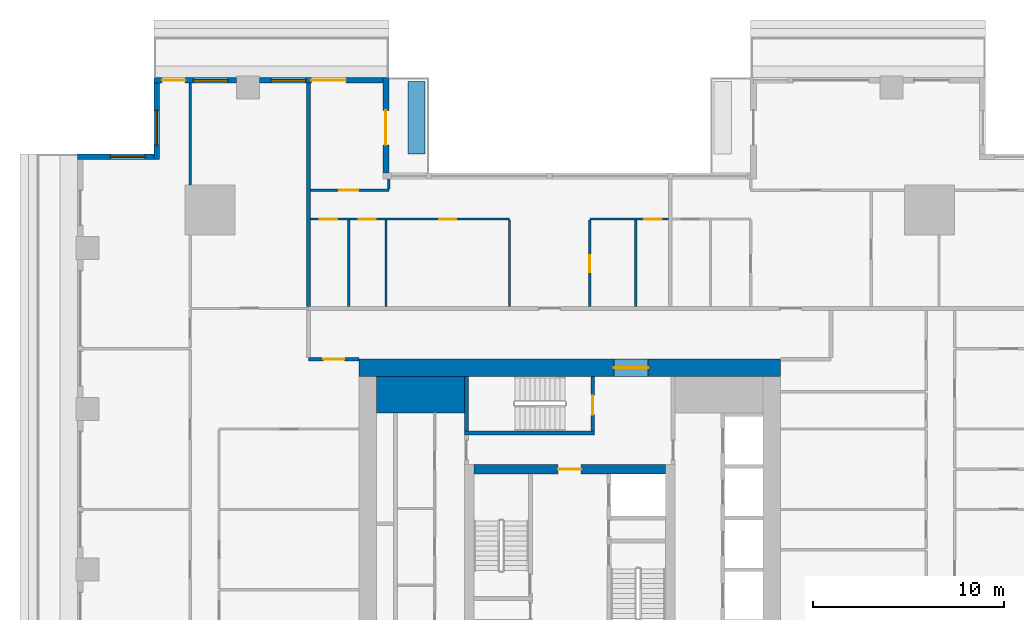
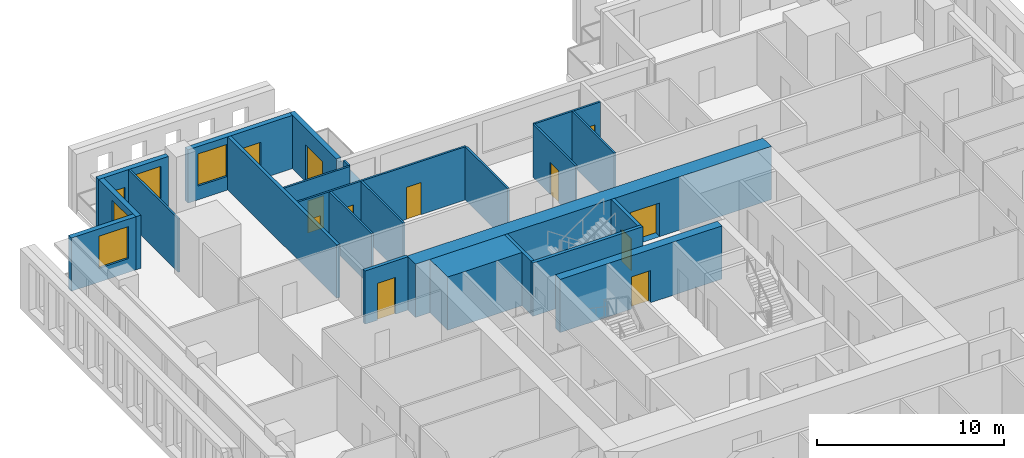
# One storey, part 7 of 16: 24 walls, 13 doors, 4 windows, 17 openings.
"""IFC4 building model written with IfcOpenShell, lengths in metres."""

from ifc_helpers import new_model, si_unit, direction, frame, frame_2d, origin, place, context, subcontext, project, spatial, rectangle, extrude, material, layer, layer_set, type_object, element, fill, save


model = new_model("IFC4")

# Units and contexts
model_context = context("Model", 3, precision=1e-05, world=origin(), true_north=direction((0.0, 1.0)))
body_context = subcontext(model_context, "Body", "Model", "MODEL_VIEW")
ifc_project = project(units=[si_unit("LENGTHUNIT", "METRE"), si_unit("AREAUNIT", "SQUARE_METRE"), si_unit("VOLUMEUNIT", "CUBIC_METRE"), si_unit("PLANEANGLEUNIT", "RADIAN"), si_unit("MASSUNIT", "GRAM", prefix="KILO")], contexts=[model_context])

# Site, building, storey
site_placement = place(None, origin())
site = spatial("IfcSite", under=ifc_project, at=site_placement, CompositionType="ELEMENT")
building_placement = place(site_placement, origin())
building = spatial("IfcBuilding", under=site, at=building_placement, Name="Khepri Terraces", CompositionType="ELEMENT")
storey_placement = place(building_placement, frame((0.0, 0.0, 157.199951171875)))
storey = spatial("IfcBuildingStorey", under=building, at=storey_placement, Name="L37", CompositionType="ELEMENT", Elevation=157.199951171875)

# Walls
ifc_material_1 = material(Name="Concrete C60/75", Category="concrete")
ifc_layer_1 = layer(ifc_material_1, 1.89990234375, Name="Concrete C60/75", Category="concrete")
ifc_layer_set_1 = layer_set([ifc_layer_1], Name="Concrete C60/75")
wall_type_1 = type_object("IfcWallType", Name="Core wall 1900 C60/75", PredefinedType="SHEAR", material=ifc_layer_set_1)
wall_1_placement = place(storey_placement, frame((-10.10009765625, 9.14990234375, 0.0), z_axis=(0.0, 0.0, 1.0), x_axis=(1.0, 0.0, 0.0)))
element("IfcWall", 1, at=wall_1_placement, inside=storey, type_object=wall_type_1, Name="Core wall PR03 L37", PredefinedType="SHEAR", context=body_context, shape_type="SweptSolid", body=[
    extrude(rectangle(XDim=4.60009765625, YDim=1.89990234375, at=frame_2d((2.300048828125, 0.0))), origin(), (0.0, 0.0, 1.0), 3.47998046875),
])
ifc_layer_2 = layer(ifc_material_1, 0.199951171875, Name="Concrete C60/75", Category="concrete")
ifc_layer_set_2 = layer_set([ifc_layer_2], Name="Concrete C60/75")
wall_type_2 = type_object("IfcWallType", Name="Core wall 200 C60/75", PredefinedType="SHEAR", material=ifc_layer_set_2)
wall_2_placement = place(storey_placement, frame((-5.5, 7.14990234375, 0.0), z_axis=(0.0, 0.0, 1.0), x_axis=(1.0, 0.0, 0.0)))
element("IfcWall", 2, at=wall_2_placement, inside=storey, type_object=wall_type_2, Name="Core wall ST05 L37", PredefinedType="SHEAR", context=body_context, shape_type="SweptSolid", body=[
    extrude(rectangle(XDim=6.800048828125, YDim=0.199951171875, at=frame_2d((3.39990234375, 0.0))), origin(), (0.0, 0.0, 1.0), 3.47998046875),
])
wall_3_placement = place(storey_placement, frame((-5.39990234375, 7.25, 0.0), z_axis=(0.0, 0.0, 1.0), x_axis=(0.0, 1.0, 0.0)))
element("IfcWall", 3, at=wall_3_placement, inside=storey, type_object=wall_type_2, Name="Core wall ST06 L37", PredefinedType="SHEAR", context=body_context, shape_type="SweptSolid", body=[
    extrude(rectangle(XDim=2.85009765625, YDim=0.199951171875, at=frame_2d((1.425048828125, 0.0))), origin(), (0.0, 0.0, 1.0), 3.47998046875),
])

# Wall, opening, door
wall_4_placement = place(storey_placement, frame((1.199951171875, 7.25, 0.0), z_axis=(0.0, 0.0, 1.0), x_axis=(0.0, 1.0, 0.0)))
wall_4 = element("IfcWall", 4, at=wall_4_placement, inside=storey, type_object=wall_type_2, Name="Core wall ST07 L37", PredefinedType="SHEAR", context=body_context, shape_type="SweptSolid", body=[
    extrude(rectangle(XDim=2.85009765625, YDim=0.199951171875, at=frame_2d((1.425048828125, 0.0))), origin(), (0.0, 0.0, 1.0), 3.47998046875),
])
opening_1_placement = place(wall_4_placement, frame((0.85009765625, 0.0, 0.0)))
opening_1 = element("IfcOpeningElement", 5, at=opening_1_placement, cuts=wall_4, Name="Opening L37-C15", PredefinedType="OPENING", context=body_context, shape_type="SweptSolid", body=[
    extrude(rectangle(XDim=1.0, YDim=2.10009765625, at=frame_2d((0.5, 1.050048828125))), frame((0.0, 0.10986328125, 0.0), z_axis=(0.0, -1.0, 0.0), x_axis=(1.0, 0.0, 0.0)), (0.0, 0.0, 1.0), 0.219970703125),
])
ifc_material_2 = material(Name="Painted steel", Category="steel")
door_type_1 = type_object("IfcDoorType", Name="DR-CORE-STAIR-1000", OperationType="NOTDEFINED", PredefinedType="DOOR", material=ifc_material_2)
door_1_placement = place(opening_1_placement, origin())
door_1 = element("IfcDoor", 6, at=door_1_placement, inside=storey, type_object=door_type_1, Name="Stair door L37-C15", OperationType="SINGLE_SWING_LEFT", OverallHeight=2.10009765625, OverallWidth=1.0, PredefinedType="DOOR", context=body_context, shape_type="SweptSolid", body=[
    extrude(rectangle(XDim=1.0, YDim=2.10009765625, at=frame_2d((0.5, 1.050048828125))), frame((0.0, 0.02490234375, 0.0), z_axis=(0.0, -1.0, 0.0), x_axis=(1.0, 0.0, 0.0)), (0.0, 0.0, 1.0), 0.050048828125),
])
fill(opening_1, door_1)

ifc_layer_3 = layer(ifc_material_1, 0.5, Name="Concrete C60/75", Category="concrete")
ifc_layer_set_3 = layer_set([ifc_layer_3], Name="Concrete C60/75")
wall_type_3 = type_object("IfcWallType", Name="Core wall 500 C60/75", PredefinedType="SHEAR", material=ifc_layer_set_3)
wall_5_placement = place(storey_placement, frame((-5.0, 5.25, 0.0), z_axis=(0.0, 0.0, 1.0), x_axis=(1.0, 0.0, 0.0)))
wall_5 = element("IfcWall", 7, at=wall_5_placement, inside=storey, type_object=wall_type_3, Name="Core wall BX04 L37", PredefinedType="SHEAR", context=body_context, shape_type="SweptSolid", body=[
    extrude(rectangle(XDim=10.0, YDim=0.5, at=frame_2d((5.0, 0.0))), origin(), (0.0, 0.0, 1.0), 3.47998046875),
])
opening_2_placement = place(wall_5_placement, frame((4.39990234375, 0.0, 0.0)))
opening_2 = element("IfcOpeningElement", 8, at=opening_2_placement, cuts=wall_5, Name="Opening L37-C13", PredefinedType="OPENING", context=body_context, shape_type="SweptSolid", body=[
    extrude(rectangle(XDim=1.199951171875, YDim=2.10009765625, at=frame_2d((0.60009765625, 1.050048828125))), frame((0.0, 0.260009765625, 0.0), z_axis=(0.0, -1.0, 0.0), x_axis=(1.0, 0.0, 0.0)), (0.0, 0.0, 1.0), 0.52001953125),
])
door_type_2 = type_object("IfcDoorType", Name="DR-CORE-FF-LOBBY-1200", OperationType="NOTDEFINED", PredefinedType="DOOR", material=ifc_material_2)
door_2_placement = place(opening_2_placement, frame((1.199951171875, 0.0, 0.0), z_axis=(0.0, 0.0, 1.0), x_axis=(-1.0, 0.0, 0.0)))
door_2 = element("IfcDoor", 9, at=door_2_placement, inside=storey, type_object=door_type_2, Name="Firefighting lobby door L37-C13", OperationType="SINGLE_SWING_LEFT", OverallHeight=2.10009765625, OverallWidth=1.199951171875, PredefinedType="DOOR", context=body_context, shape_type="SweptSolid", body=[
    extrude(rectangle(XDim=1.199951171875, YDim=2.10009765625, at=frame_2d((0.60009765625, 1.050048828125))), frame((0.0, 0.02490234375, 0.0), z_axis=(0.0, -1.0, 0.0), x_axis=(1.0, 0.0, 0.0)), (0.0, 0.0, 1.0), 0.050048828125),
])
fill(opening_2, door_2)

ifc_layer_4 = layer(ifc_material_1, 0.89990234375, Name="Concrete C60/75", Category="concrete")
ifc_layer_set_4 = layer_set([ifc_layer_4], Name="Concrete C60/75")
wall_type_4 = type_object("IfcWallType", Name="Core wall 900 C60/75", PredefinedType="SHEAR", material=ifc_layer_set_4)
wall_6_placement = place(storey_placement, frame((-11.0, 10.550048828125, 0.0), z_axis=(0.0, 0.0, 1.0), x_axis=(1.0, 0.0, 0.0)))
wall_6 = element("IfcWall", 10, at=wall_6_placement, inside=storey, type_object=wall_type_4, Name="Core wall OW-N L37", PredefinedType="SHEAR", context=body_context, shape_type="SweptSolid", body=[
    extrude(rectangle(XDim=22.0, YDim=0.89990234375, at=frame_2d((11.0, 0.0))), origin(), (0.0, 0.0, 1.0), 3.47998046875),
])
opening_3_placement = place(wall_6_placement, frame((13.300048828125, 0.0, 0.0)))
opening_3 = element("IfcOpeningElement", 11, at=opening_3_placement, cuts=wall_6, Name="Opening L37-C20", PredefinedType="OPENING", context=body_context, shape_type="SweptSolid", body=[
    extrude(rectangle(XDim=1.800048828125, YDim=2.199951171875, at=frame_2d((0.89990234375, 1.10009765625))), frame((0.0, 0.4599609375, 0.0), z_axis=(0.0, -1.0, 0.0), x_axis=(1.0, 0.0, 0.0)), (0.0, 0.0, 1.0), 0.919921875),
])
door_type_3 = type_object("IfcDoorType", Name="DR-CORE-ENTRANCE-1800", OperationType="NOTDEFINED", PredefinedType="DOOR", material=ifc_material_2)
door_3_placement = place(opening_3_placement, origin())
door_3 = element("IfcDoor", 12, at=door_3_placement, inside=storey, type_object=door_type_3, Name="Core entrance door pair L37-C20", OperationType="DOUBLE_DOOR_SINGLE_SWING", OverallHeight=2.199951171875, OverallWidth=1.800048828125, PredefinedType="DOOR", context=body_context, shape_type="SweptSolid", body=[
    extrude(rectangle(XDim=1.800048828125, YDim=2.199951171875, at=frame_2d((0.89990234375, 1.10009765625))), frame((0.0, 0.02490234375, 0.0), z_axis=(0.0, -1.0, 0.0), x_axis=(1.0, 0.0, 0.0)), (0.0, 0.0, 1.0), 0.050048828125),
])
fill(opening_3, door_3)

ifc_material_3 = material(Name="Fire-rated gypsum plasterboard partition, mineral wool")
ifc_layer_5 = layer(ifc_material_3, 0.199951171875, Name="Fire-rated gypsum plasterboard partition, mineral wool")
ifc_layer_set_5 = layer_set([ifc_layer_5], Name="Fire-rated gypsum plasterboard partition, mineral wool")
wall_type_5 = type_object("IfcWallType", Name="WL-CORR-200", PredefinedType="PARTITIONING", material=ifc_layer_set_5)
wall_7_placement = place(storey_placement, frame((-13.64990234375, 11.0, 0.0), z_axis=(0.0, 0.0, 1.0), x_axis=(1.0, 0.0, 0.0)))
wall_7 = element("IfcWall", 13, at=wall_7_placement, inside=storey, type_object=wall_type_5, Name="Partition P-075 L37", PredefinedType="PARTITIONING", context=body_context, shape_type="SweptSolid", body=[
    extrude(rectangle(XDim=2.64990234375, YDim=0.199951171875, at=frame_2d((1.324951171875, 0.0))), origin(), (0.0, 0.0, 1.0), 3.47998046875),
])
opening_4_placement = place(wall_7_placement, frame((0.77490234375, 0.0, 0.0)))
opening_4 = element("IfcOpeningElement", 14, at=opening_4_placement, cuts=wall_7, Name="Opening D1", PredefinedType="OPENING", context=body_context, shape_type="SweptSolid", body=[
    extrude(rectangle(XDim=1.10009765625, YDim=2.39990234375, at=frame_2d((0.550048828125, 1.199951171875))), frame((0.0, 0.10986328125, 0.0), z_axis=(0.0, -1.0, 0.0), x_axis=(1.0, 0.0, 0.0)), (0.0, 0.0, 1.0), 0.219970703125),
])
ifc_material_4 = material(Name="Solid-core timber door leaf, flat entrance door", Category="wood")
door_type_4 = type_object("IfcDoorType", Name="DR-ENT-1100", OperationType="NOTDEFINED", PredefinedType="DOOR", material=ifc_material_4)
door_4_placement = place(opening_4_placement, frame((1.10009765625, 0.0, 0.0), z_axis=(0.0, 0.0, 1.0), x_axis=(-1.0, 0.0, 0.0)))
door_4 = element("IfcDoor", 15, at=door_4_placement, inside=storey, type_object=door_type_4, Name="Flat D1 entrance door", OperationType="SINGLE_SWING_LEFT", OverallHeight=2.39990234375, OverallWidth=1.10009765625, PredefinedType="DOOR", context=body_context, shape_type="SweptSolid", body=[
    extrude(rectangle(XDim=1.10009765625, YDim=2.39990234375, at=frame_2d((0.550048828125, 1.199951171875))), frame((0.0, 0.02490234375, 0.0), z_axis=(0.0, -1.0, 0.0), x_axis=(1.0, 0.0, 0.0)), (0.0, 0.0, 1.0), 0.050048828125),
])
fill(opening_4, door_4)

# Wall
wall_8_placement = place(storey_placement, frame((-13.64990234375, 13.75, 0.0), z_axis=(0.0, 0.0, 1.0), x_axis=(0.0, 1.0, 0.0)))
element("IfcWall", 16, at=wall_8_placement, inside=storey, type_object=wall_type_5, Name="Partition P-086 L37", PredefinedType="PARTITIONING", context=body_context, shape_type="SweptSolid", body=[
    extrude(rectangle(XDim=11.669921875, YDim=0.199951171875, at=frame_2d((5.8349609375, 0.0))), origin(), (0.0, 0.0, 1.0), 3.47998046875),
])

# Wall, opening, door
ifc_material_5 = material(Name="Precast concrete C50/60 warm stone", Category="masonry")
ifc_layer_6 = layer(ifc_material_5, 0.300048828125, Name="Precast concrete C50/60 warm stone", Category="masonry")
ifc_layer_set_6 = layer_set([ifc_layer_6], Name="Precast concrete C50/60 warm stone")
wall_type_6 = type_object("IfcWallType", Name="WL-EXT-PRECAST-300", PredefinedType="STANDARD", material=ifc_layer_set_6)
wall_9_placement = place(storey_placement, frame((-9.60009765625, 20.719970703125, 0.0), z_axis=(0.0, 0.0, 1.0), x_axis=(0.0, 1.0, 0.0)))
wall_9 = element("IfcWall", 17, at=wall_9_placement, inside=storey, type_object=wall_type_6, Name="External wall L37 E", PredefinedType="STANDARD", context=body_context, shape_type="SweptSolid", body=[
    extrude(rectangle(XDim=5.0, YDim=0.300048828125, at=frame_2d((2.5, 0.0))), origin(), (0.0, 0.0, 1.0), 3.47998046875),
])
opening_5_placement = place(wall_9_placement, frame((1.47998046875, 0.0, 0.0)))
opening_5 = element("IfcOpeningElement", 18, at=opening_5_placement, cuts=wall_9, Name="Opening ED-L37-11", PredefinedType="OPENING", context=body_context, shape_type="SweptSolid", body=[
    extrude(rectangle(XDim=1.800048828125, YDim=2.39990234375, at=frame_2d((0.89990234375, 1.199951171875))), frame((0.0, 0.16015625, 0.0), z_axis=(0.0, -1.0, 0.0), x_axis=(1.0, 0.0, 0.0)), (0.0, 0.0, 1.0), 0.320068359375),
])
ifc_material_6 = material(Name="Anodised aluminium bronze glazed door", Category="aluminium")
door_type_5 = type_object("IfcDoorType", Name="DR-BAL-SLIDE-1800x2400", OperationType="NOTDEFINED", PredefinedType="DOOR", material=ifc_material_6)
door_5_placement = place(opening_5_placement, origin())
door_5 = element("IfcDoor", 19, at=door_5_placement, inside=storey, type_object=door_type_5, Name="Balcony door L37 E", OperationType="SLIDING_TO_RIGHT", OverallHeight=2.39990234375, OverallWidth=1.800048828125, PredefinedType="DOOR", context=body_context, shape_type="SweptSolid", body=[
    extrude(rectangle(XDim=1.800048828125, YDim=2.39990234375, at=frame_2d((0.89990234375, 1.199951171875))), frame((0.0, 0.02490234375, 0.0), z_axis=(0.0, -1.0, 0.0), x_axis=(1.0, 0.0, 0.0)), (0.0, 0.0, 1.0), 0.050048828125),
])
fill(opening_5, door_5)

# Wall, openings, door, window
wall_10_placement = place(storey_placement, frame((-9.75, 25.570068359375, 0.0), z_axis=(0.0, 0.0, 1.0), x_axis=(-1.0, 0.0, 0.0)))
wall_10 = element("IfcWall", 20, at=wall_10_placement, inside=storey, type_object=wall_type_6, Name="External wall L37 N", PredefinedType="STANDARD", context=body_context, shape_type="SweptSolid", body=[
    extrude(rectangle(XDim=6.449951171875, YDim=0.300048828125, at=frame_2d((3.22509765625, 0.0))), origin(), (0.0, 0.0, 1.0), 3.47998046875),
])
opening_6_placement = place(wall_10_placement, frame((1.949951171875, 0.0, 0.0)))
opening_6 = element("IfcOpeningElement", 21, at=opening_6_placement, cuts=wall_10, Name="Opening ED-L37-12", PredefinedType="OPENING", context=body_context, shape_type="SweptSolid", body=[
    extrude(rectangle(XDim=1.800048828125, YDim=2.39990234375, at=frame_2d((0.89990234375, 1.199951171875))), frame((0.0, 0.16015625, 0.0), z_axis=(0.0, -1.0, 0.0), x_axis=(1.0, 0.0, 0.0)), (0.0, 0.0, 1.0), 0.320068359375),
])
opening_7_placement = place(wall_10_placement, frame((4.050048828125, 0.0, 0.89990234375)))
opening_7 = element("IfcOpeningElement", 22, at=opening_7_placement, cuts=wall_10, Name="Opening W1", PredefinedType="OPENING", context=body_context, shape_type="SweptSolid", body=[
    extrude(rectangle(XDim=1.800048828125, YDim=2.10009765625, at=frame_2d((0.89990234375, 1.050048828125))), frame((0.0, 0.16015625, 0.0), z_axis=(0.0, -1.0, 0.0), x_axis=(1.0, 0.0, 0.0)), (0.0, 0.0, 1.0), 0.320068359375),
])
door_6_placement = place(opening_6_placement, origin())
door_6 = element("IfcDoor", 23, at=door_6_placement, inside=storey, type_object=door_type_5, Name="Balcony door L37 N", OperationType="SLIDING_TO_RIGHT", OverallHeight=2.39990234375, OverallWidth=1.800048828125, PredefinedType="DOOR", context=body_context, shape_type="SweptSolid", body=[
    extrude(rectangle(XDim=1.800048828125, YDim=2.39990234375, at=frame_2d((0.89990234375, 1.199951171875))), frame((0.0, 0.02490234375, 0.0), z_axis=(0.0, -1.0, 0.0), x_axis=(1.0, 0.0, 0.0)), (0.0, 0.0, 1.0), 0.050048828125),
])
fill(opening_6, door_6)
ifc_material_7 = material(Name="Clear glass", Category="glass")
window_type = type_object("IfcWindowType", Name="WIN-RES-1800x2100", PartitioningType="SINGLE_PANEL", PredefinedType="WINDOW", material=ifc_material_7)
window_1_placement = place(opening_7_placement, origin())
window_1 = element("IfcWindow", 24, at=window_1_placement, inside=storey, type_object=window_type, Name="Window L37 N", OverallHeight=2.10009765625, OverallWidth=1.800048828125, PartitioningType="SINGLE_PANEL", PredefinedType="WINDOW", context=body_context, shape_type="SweptSolid", body=[
    extrude(rectangle(XDim=1.800048828125, YDim=2.10009765625, at=frame_2d((0.89990234375, 1.050048828125))), frame((0.0, 0.030029296875, 0.0), z_axis=(0.0, -1.0, 0.0), x_axis=(1.0, 0.0, 0.0)), (0.0, 0.0, 1.0), 0.06005859375),
])
fill(opening_7, window_1)

wall_11_placement = place(storey_placement, frame((-17.39990234375, 25.570068359375, 0.0), z_axis=(0.0, 0.0, 1.0), x_axis=(-1.0, 0.0, 0.0)))
wall_11 = element("IfcWall", 25, at=wall_11_placement, inside=storey, type_object=wall_type_6, Name="External wall L37 N", PredefinedType="STANDARD", context=body_context, shape_type="SweptSolid", body=[
    extrude(rectangle(XDim=4.320068359375, YDim=0.300048828125, at=frame_2d((2.16015625, 0.0))), origin(), (0.0, 0.0, 1.0), 3.47998046875),
])
opening_8_placement = place(wall_11_placement, frame((2.695068359375, 0.0, 0.0)))
opening_8 = element("IfcOpeningElement", 26, at=opening_8_placement, cuts=wall_11, Name="Opening ED-L37-13", PredefinedType="OPENING", context=body_context, shape_type="SweptSolid", body=[
    extrude(rectangle(XDim=1.199951171875, YDim=2.39990234375, at=frame_2d((0.60009765625, 1.199951171875))), frame((0.0, 0.16015625, 0.0), z_axis=(0.0, -1.0, 0.0), x_axis=(1.0, 0.0, 0.0)), (0.0, 0.0, 1.0), 0.320068359375),
])
opening_9_placement = place(wall_11_placement, frame((0.4599609375, 0.0, 0.89990234375)))
opening_9 = element("IfcOpeningElement", 27, at=opening_9_placement, cuts=wall_11, Name="Opening W1", PredefinedType="OPENING", context=body_context, shape_type="SweptSolid", body=[
    extrude(rectangle(XDim=1.800048828125, YDim=2.10009765625, at=frame_2d((0.89990234375, 1.050048828125))), frame((0.0, 0.16015625, 0.0), z_axis=(0.0, -1.0, 0.0), x_axis=(1.0, 0.0, 0.0)), (0.0, 0.0, 1.0), 0.320068359375),
])
door_type_6 = type_object("IfcDoorType", Name="DR-BAL-SLIDE-1200x2400", OperationType="NOTDEFINED", PredefinedType="DOOR", material=ifc_material_6)
door_7_placement = place(opening_8_placement, origin())
door_7 = element("IfcDoor", 28, at=door_7_placement, inside=storey, type_object=door_type_6, Name="Balcony door L37 N", OperationType="SLIDING_TO_LEFT", OverallHeight=2.39990234375, OverallWidth=1.199951171875, PredefinedType="DOOR", context=body_context, shape_type="SweptSolid", body=[
    extrude(rectangle(XDim=1.199951171875, YDim=2.39990234375, at=frame_2d((0.60009765625, 1.199951171875))), frame((0.0, 0.02490234375, 0.0), z_axis=(0.0, -1.0, 0.0), x_axis=(1.0, 0.0, 0.0)), (0.0, 0.0, 1.0), 0.050048828125),
])
fill(opening_8, door_7)
window_2_placement = place(opening_9_placement, origin())
window_2 = element("IfcWindow", 29, at=window_2_placement, inside=storey, type_object=window_type, Name="Window L37 N", OverallHeight=2.10009765625, OverallWidth=1.800048828125, PartitioningType="SINGLE_PANEL", PredefinedType="WINDOW", context=body_context, shape_type="SweptSolid", body=[
    extrude(rectangle(XDim=1.800048828125, YDim=2.10009765625, at=frame_2d((0.89990234375, 1.050048828125))), frame((0.0, 0.030029296875, 0.0), z_axis=(0.0, -1.0, 0.0), x_axis=(1.0, 0.0, 0.0)), (0.0, 0.0, 1.0), 0.06005859375),
])
fill(opening_9, window_2)

# Wall, opening, window
wall_12_placement = place(storey_placement, frame((-21.570068359375, 25.419921875, 0.0), z_axis=(0.0, 0.0, 1.0), x_axis=(0.0, -1.0, 0.0)))
wall_12 = element("IfcWall", 30, at=wall_12_placement, inside=storey, type_object=wall_type_6, Name="External wall L37 W", PredefinedType="STANDARD", context=body_context, shape_type="SweptSolid", body=[
    extrude(rectangle(XDim=4.0, YDim=0.300048828125, at=frame_2d((2.0, 0.0))), origin(), (0.0, 0.0, 1.0), 3.47998046875),
])
opening_10_placement = place(wall_12_placement, frame((1.419921875, 0.0, 0.89990234375)))
opening_10 = element("IfcOpeningElement", 31, at=opening_10_placement, cuts=wall_12, Name="Opening W1", PredefinedType="OPENING", context=body_context, shape_type="SweptSolid", body=[
    extrude(rectangle(XDim=1.800048828125, YDim=2.10009765625, at=frame_2d((0.89990234375, 1.050048828125))), frame((0.0, 0.16015625, 0.0), z_axis=(0.0, -1.0, 0.0), x_axis=(1.0, 0.0, 0.0)), (0.0, 0.0, 1.0), 0.320068359375),
])
window_3_placement = place(opening_10_placement, origin())
window_3 = element("IfcWindow", 32, at=window_3_placement, inside=storey, type_object=window_type, Name="Window L37 W", OverallHeight=2.10009765625, OverallWidth=1.800048828125, PartitioningType="SINGLE_PANEL", PredefinedType="WINDOW", context=body_context, shape_type="SweptSolid", body=[
    extrude(rectangle(XDim=1.800048828125, YDim=2.10009765625, at=frame_2d((0.89990234375, 1.050048828125))), frame((0.0, 0.030029296875, 0.0), z_axis=(0.0, -1.0, 0.0), x_axis=(1.0, 0.0, 0.0)), (0.0, 0.0, 1.0), 0.06005859375),
])
fill(opening_10, window_3)

wall_13_placement = place(storey_placement, frame((-21.719970703125, 21.570068359375, 0.0), z_axis=(0.0, 0.0, 1.0), x_axis=(-1.0, 0.0, 0.0)))
wall_13 = element("IfcWall", 33, at=wall_13_placement, inside=storey, type_object=wall_type_6, Name="External wall L37 N", PredefinedType="STANDARD", context=body_context, shape_type="SweptSolid", body=[
    extrude(rectangle(XDim=4.0, YDim=0.300048828125, at=frame_2d((2.0, 0.0))), origin(), (0.0, 0.0, 1.0), 3.47998046875),
])
opening_11_placement = place(wall_13_placement, frame((0.47998046875, 0.0, 0.89990234375)))
opening_11 = element("IfcOpeningElement", 34, at=opening_11_placement, cuts=wall_13, Name="Opening W1", PredefinedType="OPENING", context=body_context, shape_type="SweptSolid", body=[
    extrude(rectangle(XDim=1.800048828125, YDim=2.10009765625, at=frame_2d((0.89990234375, 1.050048828125))), frame((0.0, 0.16015625, 0.0), z_axis=(0.0, -1.0, 0.0), x_axis=(1.0, 0.0, 0.0)), (0.0, 0.0, 1.0), 0.320068359375),
])
window_4_placement = place(opening_11_placement, origin())
window_4 = element("IfcWindow", 35, at=window_4_placement, inside=storey, type_object=window_type, Name="Window L37 N", OverallHeight=2.10009765625, OverallWidth=1.800048828125, PartitioningType="SINGLE_PANEL", PredefinedType="WINDOW", context=body_context, shape_type="SweptSolid", body=[
    extrude(rectangle(XDim=1.800048828125, YDim=2.10009765625, at=frame_2d((0.89990234375, 1.050048828125))), frame((0.0, 0.030029296875, 0.0), z_axis=(0.0, -1.0, 0.0), x_axis=(1.0, 0.0, 0.0)), (0.0, 0.0, 1.0), 0.06005859375),
])
fill(opening_11, window_4)

# Walls
ifc_material_8 = material(Name="Gypsum plasterboard partition")
ifc_layer_7 = layer(ifc_material_8, 0.1201171875, Name="Gypsum plasterboard partition")
ifc_layer_set_7 = layer_set([ifc_layer_7], Name="Gypsum plasterboard partition")
wall_type_7 = type_object("IfcWallType", Name="WL-PART-120", PredefinedType="PARTITIONING", material=ifc_layer_set_7)
for number, where, z_axis, x_axis, name in (
    (36, (-11.550048828125, 13.75, 0.0), (0.0, 0.0, 1.0), (0.0, 1.0, 0.0), "Partition P-087 L37"),
    (37, (-9.60009765625, 13.75, 0.0), (0.0, 0.0, 1.0), (0.0, 1.0, 0.0), "Partition P-088 L37"),
    (38, (-3.14990234375, 13.75, 0.0), (0.0, 0.0, 1.0), (0.0, 1.0, 0.0), "Partition P-089 L37"),
):
    element("IfcWall", number, at=place(storey_placement, frame(where, z_axis=z_axis, x_axis=x_axis)), inside=storey, type_object=wall_type_7, Name=name, PredefinedType="PARTITIONING", context=body_context, shape_type="SweptSolid", body=[
        extrude(rectangle(XDim=4.510009765625, YDim=0.1201171875, at=frame_2d((2.2548828125, 0.0))), origin(), (0.0, 0.0, 1.0), 3.47998046875),
    ])

# Wall, opening, door
wall_14_placement = place(storey_placement, frame((1.050048828125, 13.75, 0.0), z_axis=(0.0, 0.0, 1.0), x_axis=(0.0, 1.0, 0.0)))
wall_14 = element("IfcWall", 39, at=wall_14_placement, inside=storey, type_object=wall_type_7, Name="Partition P-090 L37", PredefinedType="PARTITIONING", context=body_context, shape_type="SweptSolid", body=[
    extrude(rectangle(XDim=4.510009765625, YDim=0.1201171875, at=frame_2d((2.2548828125, 0.0))), origin(), (0.0, 0.0, 1.0), 3.47998046875),
])
opening_12_placement = place(wall_14_placement, frame((1.784912109375, 0.0, 0.0)))
opening_12 = element("IfcOpeningElement", 40, at=opening_12_placement, cuts=wall_14, Name="Opening D3", PredefinedType="OPENING", context=body_context, shape_type="SweptSolid", body=[
    extrude(rectangle(XDim=0.89990234375, YDim=2.10009765625, at=frame_2d((0.449951171875, 1.050048828125))), frame((0.0, 0.070068359375, 0.0), z_axis=(0.0, -1.0, 0.0), x_axis=(1.0, 0.0, 0.0)), (0.0, 0.0, 1.0), 0.14013671875),
])
ifc_material_9 = material(Name="Timber door leaf", Category="wood")
door_type_7 = type_object("IfcDoorType", Name="DR-INT-900", OperationType="NOTDEFINED", PredefinedType="DOOR", material=ifc_material_9)
door_8_placement = place(opening_12_placement, frame((0.89990234375, 0.0, 0.0), z_axis=(0.0, 0.0, 1.0), x_axis=(-1.0, 0.0, 0.0)))
door_8 = element("IfcDoor", 41, at=door_8_placement, inside=storey, type_object=door_type_7, Name="Door Staff Bedroom", OperationType="SINGLE_SWING_RIGHT", OverallHeight=2.10009765625, OverallWidth=0.89990234375, PredefinedType="DOOR", context=body_context, shape_type="SweptSolid", body=[
    extrude(rectangle(XDim=0.89990234375, YDim=2.10009765625, at=frame_2d((0.449951171875, 1.050048828125))), frame((0.0, 0.02490234375, 0.0), z_axis=(0.0, -1.0, 0.0), x_axis=(1.0, 0.0, 0.0)), (0.0, 0.0, 1.0), 0.050048828125),
])
fill(opening_12, door_8)

# Wall
wall_15_placement = place(storey_placement, frame((3.449951171875, 13.75, 0.0), z_axis=(0.0, 0.0, 1.0), x_axis=(0.0, 1.0, 0.0)))
element("IfcWall", 42, at=wall_15_placement, inside=storey, type_object=wall_type_7, Name="Partition P-091 L37", PredefinedType="PARTITIONING", context=body_context, shape_type="SweptSolid", body=[
    extrude(rectangle(XDim=4.510009765625, YDim=0.1201171875, at=frame_2d((2.2548828125, 0.0))), origin(), (0.0, 0.0, 1.0), 3.47998046875),
])

# Wall, openings, doors
wall_16_placement = place(storey_placement, frame((-13.550048828125, 18.320068359375, 0.0), z_axis=(0.0, 0.0, 1.0), x_axis=(1.0, 0.0, 0.0)))
wall_16 = element("IfcWall", 43, at=wall_16_placement, inside=storey, type_object=wall_type_7, Name="Partition P-097 L37", PredefinedType="PARTITIONING", context=body_context, shape_type="SweptSolid", body=[
    extrude(rectangle(XDim=10.400146484375, YDim=0.1201171875, at=frame_2d((5.2001953125, 0.0))), origin(), (0.0, 0.0, 1.0), 3.47998046875),
])
opening_13_placement = place(wall_16_placement, frame((6.72509765625, 0.0, 0.0)))
opening_13 = element("IfcOpeningElement", 44, at=opening_13_placement, cuts=wall_16, Name="Opening D3", PredefinedType="OPENING", context=body_context, shape_type="SweptSolid", body=[
    extrude(rectangle(XDim=0.89990234375, YDim=2.10009765625, at=frame_2d((0.449951171875, 1.050048828125))), frame((0.0, 0.070068359375, 0.0), z_axis=(0.0, -1.0, 0.0), x_axis=(1.0, 0.0, 0.0)), (0.0, 0.0, 1.0), 0.14013671875),
])
opening_14_placement = place(wall_16_placement, frame((2.52490234375, 0.0, 0.0)))
opening_14 = element("IfcOpeningElement", 45, at=opening_14_placement, cuts=wall_16, Name="Opening D3", PredefinedType="OPENING", context=body_context, shape_type="SweptSolid", body=[
    extrude(rectangle(XDim=0.89990234375, YDim=2.10009765625, at=frame_2d((0.449951171875, 1.050048828125))), frame((0.0, 0.070068359375, 0.0), z_axis=(0.0, -1.0, 0.0), x_axis=(1.0, 0.0, 0.0)), (0.0, 0.0, 1.0), 0.14013671875),
])
opening_15_placement = place(wall_16_placement, frame((0.5, 0.0, 0.0)))
opening_15 = element("IfcOpeningElement", 46, at=opening_15_placement, cuts=wall_16, Name="Opening D4", PredefinedType="OPENING", context=body_context, shape_type="SweptSolid", body=[
    extrude(rectangle(XDim=0.89990234375, YDim=2.10009765625, at=frame_2d((0.449951171875, 1.050048828125))), frame((0.0, 0.070068359375, 0.0), z_axis=(0.0, -1.0, 0.0), x_axis=(1.0, 0.0, 0.0)), (0.0, 0.0, 1.0), 0.14013671875),
])
door_9_placement = place(opening_13_placement, frame((0.89990234375, 0.0, 0.0), z_axis=(0.0, 0.0, 1.0), x_axis=(-1.0, 0.0, 0.0)))
door_9 = element("IfcDoor", 47, at=door_9_placement, inside=storey, type_object=door_type_7, Name="Door Kitchen", OperationType="SINGLE_SWING_LEFT", OverallHeight=2.10009765625, OverallWidth=0.89990234375, PredefinedType="DOOR", context=body_context, shape_type="SweptSolid", body=[
    extrude(rectangle(XDim=0.89990234375, YDim=2.10009765625, at=frame_2d((0.449951171875, 1.050048828125))), frame((0.0, 0.02490234375, 0.0), z_axis=(0.0, -1.0, 0.0), x_axis=(1.0, 0.0, 0.0)), (0.0, 0.0, 1.0), 0.050048828125),
])
fill(opening_13, door_9)
door_10_placement = place(opening_14_placement, frame((0.89990234375, 0.0, 0.0), z_axis=(0.0, 0.0, 1.0), x_axis=(-1.0, 0.0, 0.0)))
door_10 = element("IfcDoor", 48, at=door_10_placement, inside=storey, type_object=door_type_7, Name="Door Service Store", OperationType="SINGLE_SWING_RIGHT", OverallHeight=2.10009765625, OverallWidth=0.89990234375, PredefinedType="DOOR", context=body_context, shape_type="SweptSolid", body=[
    extrude(rectangle(XDim=0.89990234375, YDim=2.10009765625, at=frame_2d((0.449951171875, 1.050048828125))), frame((0.0, 0.02490234375, 0.0), z_axis=(0.0, -1.0, 0.0), x_axis=(1.0, 0.0, 0.0)), (0.0, 0.0, 1.0), 0.050048828125),
])
fill(opening_14, door_10)
ifc_material_10 = material(Name="Timber door leaf, moisture resistant", Category="wood")
door_type_8 = type_object("IfcDoorType", Name="DR-WET-900", OperationType="NOTDEFINED", PredefinedType="DOOR", material=ifc_material_10)
door_11_placement = place(opening_15_placement, frame((0.89990234375, 0.0, 0.0), z_axis=(0.0, 0.0, 1.0), x_axis=(-1.0, 0.0, 0.0)))
door_11 = element("IfcDoor", 49, at=door_11_placement, inside=storey, type_object=door_type_8, Name="Door Guest Bathroom", OperationType="SINGLE_SWING_RIGHT", OverallHeight=2.10009765625, OverallWidth=0.89990234375, PredefinedType="DOOR", context=body_context, shape_type="SweptSolid", body=[
    extrude(rectangle(XDim=0.89990234375, YDim=2.10009765625, at=frame_2d((0.449951171875, 1.050048828125))), frame((0.0, 0.02490234375, 0.0), z_axis=(0.0, -1.0, 0.0), x_axis=(1.0, 0.0, 0.0)), (0.0, 0.0, 1.0), 0.050048828125),
])
fill(opening_15, door_11)

# Wall, opening, door
wall_17_placement = place(storey_placement, frame((1.050048828125, 18.320068359375, 0.0), z_axis=(0.0, 0.0, 1.0), x_axis=(1.0, 0.0, 0.0)))
wall_17 = element("IfcWall", 50, at=wall_17_placement, inside=storey, type_object=wall_type_7, Name="Partition P-098 L37", PredefinedType="PARTITIONING", context=body_context, shape_type="SweptSolid", body=[
    extrude(rectangle(XDim=4.099853515625, YDim=0.1201171875, at=frame_2d((2.0498046875, 0.0))), origin(), (0.0, 0.0, 1.0), 3.47998046875),
])
opening_16_placement = place(wall_17_placement, frame((2.85009765625, 0.0, 0.0)))
opening_16 = element("IfcOpeningElement", 51, at=opening_16_placement, cuts=wall_17, Name="Opening D4", PredefinedType="OPENING", context=body_context, shape_type="SweptSolid", body=[
    extrude(rectangle(XDim=0.89990234375, YDim=2.10009765625, at=frame_2d((0.449951171875, 1.050048828125))), frame((0.0, 0.070068359375, 0.0), z_axis=(0.0, -1.0, 0.0), x_axis=(1.0, 0.0, 0.0)), (0.0, 0.0, 1.0), 0.14013671875),
])
door_12_placement = place(opening_16_placement, frame((0.89990234375, 0.0, 0.0), z_axis=(0.0, 0.0, 1.0), x_axis=(-1.0, 0.0, 0.0)))
door_12 = element("IfcDoor", 52, at=door_12_placement, inside=storey, type_object=door_type_8, Name="Door Powder Room", OperationType="SINGLE_SWING_LEFT", OverallHeight=2.10009765625, OverallWidth=0.89990234375, PredefinedType="DOOR", context=body_context, shape_type="SweptSolid", body=[
    extrude(rectangle(XDim=0.89990234375, YDim=2.10009765625, at=frame_2d((0.449951171875, 1.050048828125))), frame((0.0, 0.02490234375, 0.0), z_axis=(0.0, -1.0, 0.0), x_axis=(1.0, 0.0, 0.0)), (0.0, 0.0, 1.0), 0.050048828125),
])
fill(opening_16, door_12)

wall_18_placement = place(storey_placement, frame((-13.550048828125, 19.820068359375, 0.0), z_axis=(0.0, 0.0, 1.0), x_axis=(1.0, 0.0, 0.0)))
wall_18 = element("IfcWall", 53, at=wall_18_placement, inside=storey, type_object=wall_type_7, Name="Partition P-100 L37", PredefinedType="PARTITIONING", context=body_context, shape_type="SweptSolid", body=[
    extrude(rectangle(XDim=4.10009765625, YDim=0.1201171875, at=frame_2d((2.050048828125, 0.0))), origin(), (0.0, 0.0, 1.0), 3.47998046875),
])
opening_17_placement = place(wall_18_placement, frame((1.5, 0.0, 0.0)))
opening_17 = element("IfcOpeningElement", 54, at=opening_17_placement, cuts=wall_18, Name="Opening D2", PredefinedType="OPENING", context=body_context, shape_type="SweptSolid", body=[
    extrude(rectangle(XDim=1.0, YDim=2.10009765625, at=frame_2d((0.5, 1.050048828125))), frame((0.0, 0.070068359375, 0.0), z_axis=(0.0, -1.0, 0.0), x_axis=(1.0, 0.0, 0.0)), (0.0, 0.0, 1.0), 0.14013671875),
])
ifc_material_11 = material(Name="Timber door leaf, living room door", Category="wood")
door_type_9 = type_object("IfcDoorType", Name="DR-INT-1000", OperationType="NOTDEFINED", PredefinedType="DOOR", material=ifc_material_11)
door_13_placement = place(opening_17_placement, origin())
door_13 = element("IfcDoor", 55, at=door_13_placement, inside=storey, type_object=door_type_9, Name="Door Living Room", OperationType="SINGLE_SWING_LEFT", OverallHeight=2.10009765625, OverallWidth=1.0, PredefinedType="DOOR", context=body_context, shape_type="SweptSolid", body=[
    extrude(rectangle(XDim=1.0, YDim=2.10009765625, at=frame_2d((0.5, 1.050048828125))), frame((0.0, 0.02490234375, 0.0), z_axis=(0.0, -1.0, 0.0), x_axis=(1.0, 0.0, 0.0)), (0.0, 0.0, 1.0), 0.050048828125),
])
fill(opening_17, door_13)

# Walls
wall_19_placement = place(storey_placement, frame((-9.449951171875, 19.8798828125, 0.0), z_axis=(0.0, 0.0, 1.0), x_axis=(0.0, 1.0, 0.0)))
element("IfcWall", 56, at=wall_19_placement, inside=storey, type_object=wall_type_7, Name="Partition P-103 L37", PredefinedType="PARTITIONING", context=body_context, shape_type="SweptSolid", body=[
    extrude(rectangle(XDim=0.5400390625, YDim=0.1201171875, at=frame_2d((0.27001953125, 0.0))), origin(), (0.0, 0.0, 1.0), 3.47998046875),
])
wall_20_placement = place(storey_placement, frame((-19.820068359375, 20.10009765625, 0.0), z_axis=(0.0, 0.0, 1.0), x_axis=(0.0, 1.0, 0.0)))
element("IfcWall", 57, at=wall_20_placement, inside=storey, type_object=wall_type_7, Name="Partition P-105 L37", PredefinedType="PARTITIONING", context=body_context, shape_type="SweptSolid", body=[
    extrude(rectangle(XDim=5.31982421875, YDim=0.1201171875, at=frame_2d((2.659912109375, 0.0))), origin(), (0.0, 0.0, 1.0), 3.47998046875),
])
ifc_layer_8 = layer(ifc_material_5, 0.89990234375, Name="Precast concrete C50/60 warm stone", Category="masonry")
ifc_layer_set_8 = layer_set([ifc_layer_8], Name="Precast concrete C50/60 warm stone")
wall_type_8 = type_object("IfcWallType", Name="WL-PLANTER-900", PredefinedType="MOVABLE", material=ifc_layer_set_8)
wall_21_placement = place(storey_placement, frame((-8.0, 21.719970703125, 0.0), z_axis=(0.0, 0.0, 1.0), x_axis=(0.0, 1.0, 0.0)))
element("IfcWall", 58, at=wall_21_placement, inside=storey, type_object=wall_type_8, Name="Planter L37", PredefinedType="MOVABLE", context=body_context, shape_type="SweptSolid", body=[
    extrude(rectangle(XDim=3.800048828125, YDim=0.89990234375, at=frame_2d((1.89990234375, 0.0))), origin(), (0.0, 0.0, 1.0), 0.60009765625),
])

save(model, "model.ifc")
